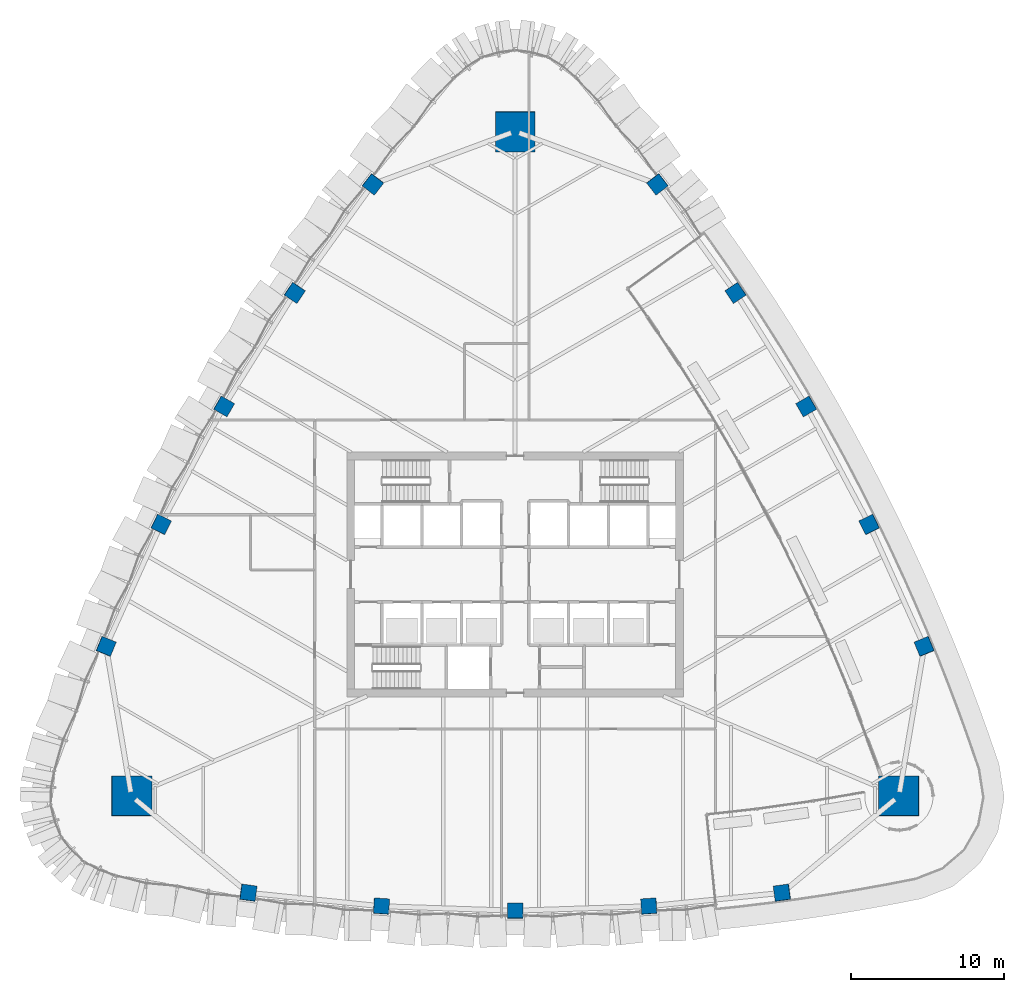
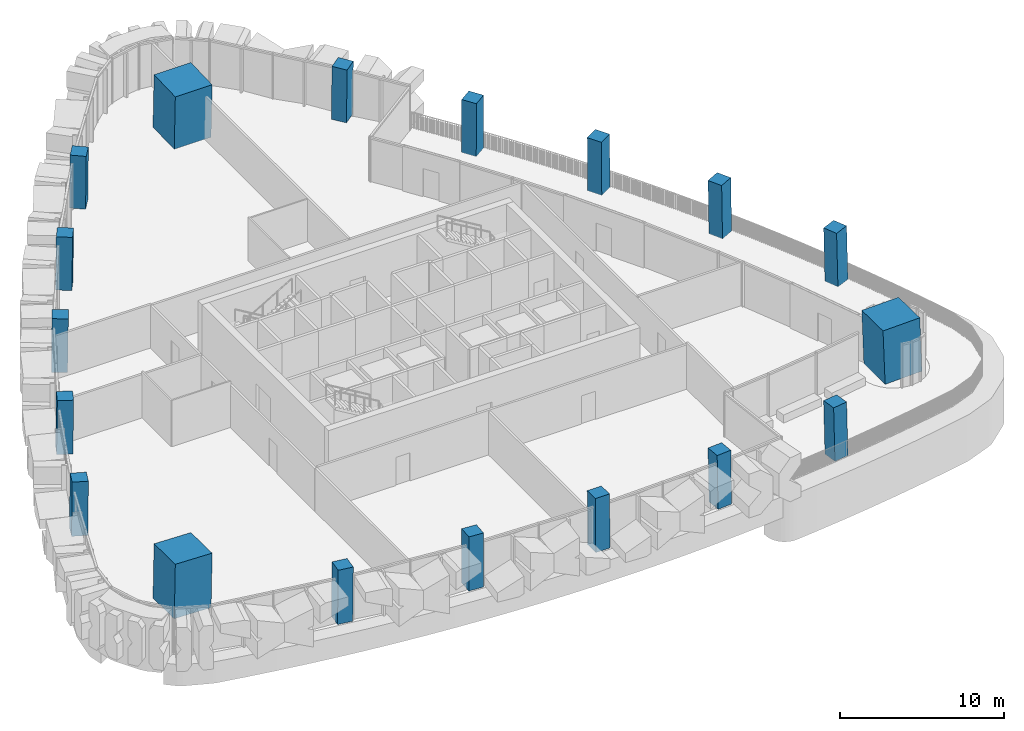
# One storey, part 1 of 20: 18 columns.
"""IFC4 building model written with IfcOpenShell, lengths in metres."""

from ifc_helpers import new_model, si_unit, direction, frame, origin, origin_2d, place, context, subcontext, project, spatial, rectangle, extrude, clip, halfspace, material, material_profile, profile_set, type_object, element, save


model = new_model("IFC4")

# Units and contexts
model_context = context("Model", 3, precision=1e-05, world=origin(), true_north=direction((0.0, 1.0)))
body_context = subcontext(model_context, "Body", "Model", "MODEL_VIEW")
ifc_project = project(units=[si_unit("LENGTHUNIT", "METRE"), si_unit("AREAUNIT", "SQUARE_METRE"), si_unit("VOLUMEUNIT", "CUBIC_METRE"), si_unit("PLANEANGLEUNIT", "RADIAN"), si_unit("MASSUNIT", "GRAM", prefix="KILO")], contexts=[model_context])

# Site, building, storey
site_placement = place(None, origin())
site = spatial("IfcSite", under=ifc_project, at=site_placement, CompositionType="ELEMENT")
building_placement = place(site_placement, origin())
building = spatial("IfcBuilding", under=site, at=building_placement, Name="Sierra Prisma Convention Tower", CompositionType="ELEMENT")
storey_placement = place(building_placement, frame((0.0, 0.0, 125.800048828125)))
storey = spatial("IfcBuildingStorey", under=building, at=storey_placement, Name="L26", CompositionType="ELEMENT", Elevation=125.800048828125)

# Columns
ifc_material_1 = material(Name="Concrete C60/75", Category="concrete")
ifc_material_profile_1 = material_profile(ifc_material_1, rectangle(XDim=2.60009765625, YDim=2.60009765625, at=origin_2d()), Name="Mega column RC 2600 C60/75")
ifc_profile_set_1 = profile_set([ifc_material_profile_1], Name="Concrete C60/75")
column_type_1 = type_object("IfcColumnType", Name="Mega column RC 2600 C60/75", PredefinedType="COLUMN", material=ifc_profile_set_1)
column_1_placement = place(storey_placement, frame((25.095703125, -14.489013671875, 0.0), z_axis=(-0.028122372328, 0.016226791842, 0.999472772716), x_axis=(0.999604487872, 0.00045651644, 0.02811866672)))
element("IfcColumn", 1, at=column_1_placement, inside=storey, type_object=column_type_1, Name="Mega column SE L26", PredefinedType="COLUMN", context=body_context, shape_type="SweptSolid", body=[
    clip(extrude(rectangle(XDim=2.60009765625, YDim=2.60009765625, at=origin_2d()), origin(), (0.0, 0.0, 1.0), 4.002197265625), halfspace(frame((0.0, 0.0, 0.01318359375)), True)),
])
column_2_placement = place(storey_placement, frame((0.0, 28.97802734375, 0.0), z_axis=(0.0, -0.032453598962, 0.999473243221), x_axis=(1.0, 0.0, 0.0)))
element("IfcColumn", 2, at=column_2_placement, inside=storey, type_object=column_type_1, Name="Mega column N L26", PredefinedType="COLUMN", context=body_context, shape_type="SweptSolid", body=[
    clip(extrude(rectangle(XDim=2.60009765625, YDim=2.60009765625, at=origin_2d()), origin(), (0.0, 0.0, 1.0), 4.002197265625), halfspace(frame((0.0, 0.0, 0.009765625)), True)),
])
column_3_placement = place(storey_placement, frame((-25.095703125, -14.489013671875, 0.0), z_axis=(0.028122372328, 0.016226791842, 0.999472772716), x_axis=(0.999604487872, -0.00045651644, -0.02811866672)))
element("IfcColumn", 3, at=column_3_placement, inside=storey, type_object=column_type_1, Name="Mega column SW L26", PredefinedType="COLUMN", context=body_context, shape_type="SweptSolid", body=[
    clip(extrude(rectangle(XDim=2.60009765625, YDim=2.60009765625, at=origin_2d()), origin(), (0.0, 0.0, 1.0), 4.002197265625), halfspace(frame((0.0, 0.0, 0.01318359375)), True)),
])
ifc_material_2 = material(Name="Concrete C60/75", Category="concrete")
ifc_material_profile_2 = material_profile(ifc_material_2, rectangle(XDim=1.0, YDim=1.0, at=origin_2d()), Name="Perimeter column RC 1000 C60/75")
ifc_profile_set_2 = profile_set([ifc_material_profile_2], Name="Concrete C60/75")
column_type_2 = type_object("IfcColumnType", Name="Perimeter column RC 1000 C60/75", PredefinedType="COLUMN", material=ifc_profile_set_2)
column_4_placement = place(storey_placement, frame((-17.455810546875, -20.81689453125, 0.0), z_axis=(0.017696448434, 0.010495824588, 0.999788314284), x_axis=(-0.990918277047, 0.133493566713, 0.016138025322)))
element("IfcColumn", 4, at=column_4_placement, inside=storey, type_object=column_type_2, Name="Perimeter column S-1 L26", PredefinedType="COLUMN", context=body_context, shape_type="SweptSolid", body=[
    clip(extrude(rectangle(XDim=1.0, YDim=1.0, at=origin_2d()), origin(), (0.0, 0.0, 1.0), 4.000732421875), halfspace(frame((0.0, 0.0, 0.00341796875)), True)),
])
column_5_placement = place(storey_placement, frame((-8.74755859375, -21.693115234375, 0.0), z_axis=(0.008910223283, 0.011168293567, 0.999897933361), x_axis=(-0.997726322898, 0.066901914225, 0.008143615286)))
element("IfcColumn", 5, at=column_5_placement, inside=storey, type_object=column_type_2, Name="Perimeter column S-2 L26", PredefinedType="COLUMN", context=body_context, shape_type="SweptSolid", body=[
    clip(extrude(rectangle(XDim=1.0, YDim=1.0, at=origin_2d()), origin(), (0.0, 0.0, 1.0), 4.00048828125), halfspace(frame((0.0, 0.0, 0.00244140625)), True)),
])
column_6_placement = place(storey_placement, frame((0.0, -21.985595703125, 0.0), z_axis=(0.0, 0.01141283087, 0.999934871525), x_axis=(1.0, 0.0, 0.0)))
element("IfcColumn", 6, at=column_6_placement, inside=storey, type_object=column_type_2, Name="Perimeter column S-3 L26", PredefinedType="COLUMN", context=body_context, shape_type="SweptSolid", body=[
    clip(extrude(rectangle(XDim=1.0, YDim=1.0, at=origin_2d()), origin(), (0.0, 0.0, 1.0), 4.000244140625), halfspace(frame((0.0, 0.0, 0.001708984375)), True)),
])
column_7_placement = place(storey_placement, frame((8.74755859375, -21.693115234375, 0.0), z_axis=(-0.008910223283, 0.011168293567, 0.999897933361), x_axis=(0.997726322898, 0.066901914225, 0.008143615286)))
element("IfcColumn", 7, at=column_7_placement, inside=storey, type_object=column_type_2, Name="Perimeter column S-4 L26", PredefinedType="COLUMN", context=body_context, shape_type="SweptSolid", body=[
    clip(extrude(rectangle(XDim=1.0, YDim=1.0, at=origin_2d()), origin(), (0.0, 0.0, 1.0), 4.00048828125), halfspace(frame((0.0, 0.0, 0.00244140625)), True)),
])
for number, where, z_axis, x_axis, name in (
    (8, (17.455810546875, -20.81689453125, 0.0), (-0.017696448434, 0.010495824588, 0.999788314284), (0.990918277047, 0.133493566713, 0.016138025322), "Perimeter column S-5 L26"),
    (9, (26.755859375, -4.708740234375, 0.0), (-0.01794052709, 0.010129685364, 0.999787740954), (-0.38001982698, 0.924836651145, -0.016189496657), "Perimeter column NE-1 L26"),
):
    element("IfcColumn", number, at=place(storey_placement, frame(where, z_axis=z_axis, x_axis=x_axis)), inside=storey, type_object=column_type_2, Name=name, PredefinedType="COLUMN", context=body_context, shape_type="SweptSolid", body=[
        clip(extrude(rectangle(XDim=1.0, YDim=1.0, at=origin_2d()), origin(), (0.0, 0.0, 1.0), 4.000732421875), halfspace(frame((0.0, 0.0, 0.00341796875)), True)),
    ])
column_8_placement = place(storey_placement, frame((23.16064453125, 3.27099609375, 0.0), z_axis=(-0.014158706356, 0.002074982828, 0.999897607498), x_axis=(-0.440982382109, 0.897479146317, -0.008106823952)))
element("IfcColumn", 10, at=column_8_placement, inside=storey, type_object=column_type_2, Name="Perimeter column NE-2 L26", PredefinedType="COLUMN", context=body_context, shape_type="SweptSolid", body=[
    clip(extrude(rectangle(XDim=1.0, YDim=1.0, at=origin_2d()), origin(), (0.0, 0.0, 1.0), 4.00048828125), halfspace(frame((0.0, 0.0, 0.00244140625)), True)),
])
column_9_placement = place(storey_placement, frame((19.040283203125, 10.992919921875, 0.0), z_axis=(-0.009948074445, -0.005736926367, 0.999934059571), x_axis=(-0.499975258342, 0.8660396879, -5.385525e-06)))
element("IfcColumn", 11, at=column_9_placement, inside=storey, type_object=column_type_2, Name="Perimeter column NE-3 L26", PredefinedType="COLUMN", context=body_context, shape_type="SweptSolid", body=[
    clip(extrude(rectangle(XDim=1.0, YDim=1.0, at=origin_2d()), origin(), (0.0, 0.0, 1.0), 4.000244140625), halfspace(frame((0.0, 0.0, 0.001708984375)), True)),
])
column_10_placement = place(storey_placement, frame((14.4130859375, 18.422119140625, 0.0), z_axis=(-0.005248486563, -0.013304303149, 0.999897719223), x_axis=(-0.556731672448, 0.830652602825, 0.008130086889)))
element("IfcColumn", 12, at=column_10_placement, inside=storey, type_object=column_type_2, Name="Perimeter column NE-4 L26", PredefinedType="COLUMN", context=body_context, shape_type="SweptSolid", body=[
    clip(extrude(rectangle(XDim=1.0, YDim=1.0, at=origin_2d()), origin(), (0.0, 0.0, 1.0), 4.00048828125), halfspace(frame((0.0, 0.0, 0.00244140625)), True)),
])
for number, where, z_axis, x_axis, name in (
    (13, (9.300048828125, 25.525634765625, 0.0), (-0.000183066744, -0.020564497584, 0.999788511599), (-0.610992464554, 0.791471295287, 0.016167776435), "Perimeter column NE-5 L26"),
    (14, (-9.300048828125, 25.525634765625, 0.0), (0.000183066744, -0.020564497584, 0.999788511599), (0.610992464554, 0.791471295287, 0.016167776435), "Perimeter column NW-1 L26"),
):
    element("IfcColumn", number, at=place(storey_placement, frame(where, z_axis=z_axis, x_axis=x_axis)), inside=storey, type_object=column_type_2, Name=name, PredefinedType="COLUMN", context=body_context, shape_type="SweptSolid", body=[
        clip(extrude(rectangle(XDim=1.0, YDim=1.0, at=origin_2d()), origin(), (0.0, 0.0, 1.0), 4.000732421875), halfspace(frame((0.0, 0.0, 0.00341796875)), True)),
    ])
column_11_placement = place(storey_placement, frame((-14.4130859375, 18.422119140625, 0.0), z_axis=(0.005248486563, -0.013304303149, 0.999897719223), x_axis=(0.556731672448, 0.830652602825, 0.008130086889)))
element("IfcColumn", 15, at=column_11_placement, inside=storey, type_object=column_type_2, Name="Perimeter column NW-2 L26", PredefinedType="COLUMN", context=body_context, shape_type="SweptSolid", body=[
    clip(extrude(rectangle(XDim=1.0, YDim=1.0, at=origin_2d()), origin(), (0.0, 0.0, 1.0), 4.00048828125), halfspace(frame((0.0, 0.0, 0.00244140625)), True)),
])
column_12_placement = place(storey_placement, frame((-19.040283203125, 10.992919921875, 0.0), z_axis=(0.009948074445, -0.005736926367, 0.999934059571), x_axis=(0.499975258342, 0.8660396879, -5.385525e-06)))
element("IfcColumn", 16, at=column_12_placement, inside=storey, type_object=column_type_2, Name="Perimeter column NW-3 L26", PredefinedType="COLUMN", context=body_context, shape_type="SweptSolid", body=[
    clip(extrude(rectangle(XDim=1.0, YDim=1.0, at=origin_2d()), origin(), (0.0, 0.0, 1.0), 4.000244140625), halfspace(frame((0.0, 0.0, 0.001708984375)), True)),
])
column_13_placement = place(storey_placement, frame((-23.16064453125, 3.27099609375, 0.0), z_axis=(0.014158706356, 0.002074982828, 0.999897607498), x_axis=(0.440982382109, 0.897479146317, -0.008106823952)))
element("IfcColumn", 17, at=column_13_placement, inside=storey, type_object=column_type_2, Name="Perimeter column NW-4 L26", PredefinedType="COLUMN", context=body_context, shape_type="SweptSolid", body=[
    clip(extrude(rectangle(XDim=1.0, YDim=1.0, at=origin_2d()), origin(), (0.0, 0.0, 1.0), 4.00048828125), halfspace(frame((0.0, 0.0, 0.00244140625)), True)),
])
column_14_placement = place(storey_placement, frame((-26.755859375, -4.708740234375, 0.0), z_axis=(0.01794052709, 0.010129685364, 0.999787740954), x_axis=(0.38001982698, 0.924836651145, -0.016189496657)))
element("IfcColumn", 18, at=column_14_placement, inside=storey, type_object=column_type_2, Name="Perimeter column NW-5 L26", PredefinedType="COLUMN", context=body_context, shape_type="SweptSolid", body=[
    clip(extrude(rectangle(XDim=1.0, YDim=1.0, at=origin_2d()), origin(), (0.0, 0.0, 1.0), 4.000732421875), halfspace(frame((0.0, 0.0, 0.00341796875)), True)),
])

save(model, "model.ifc")
